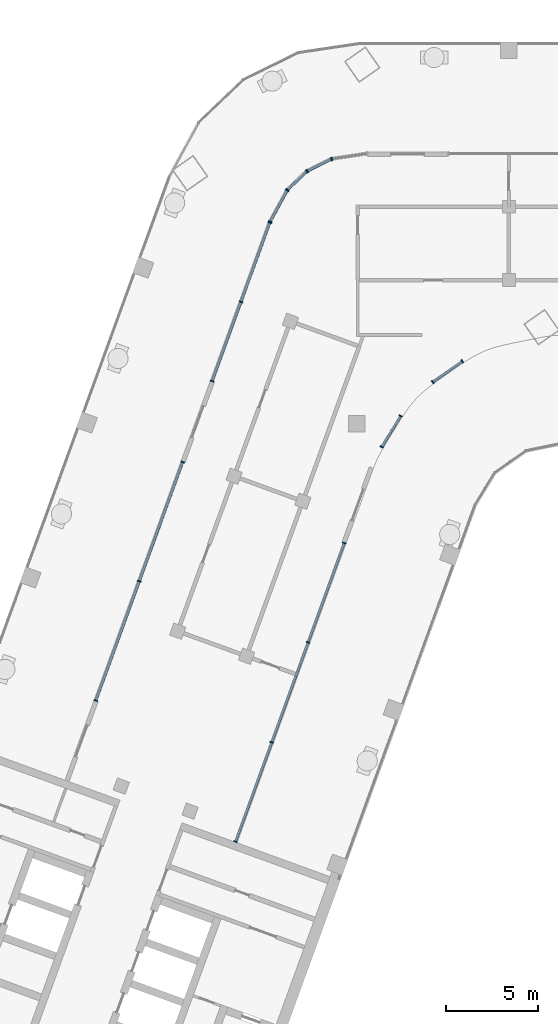
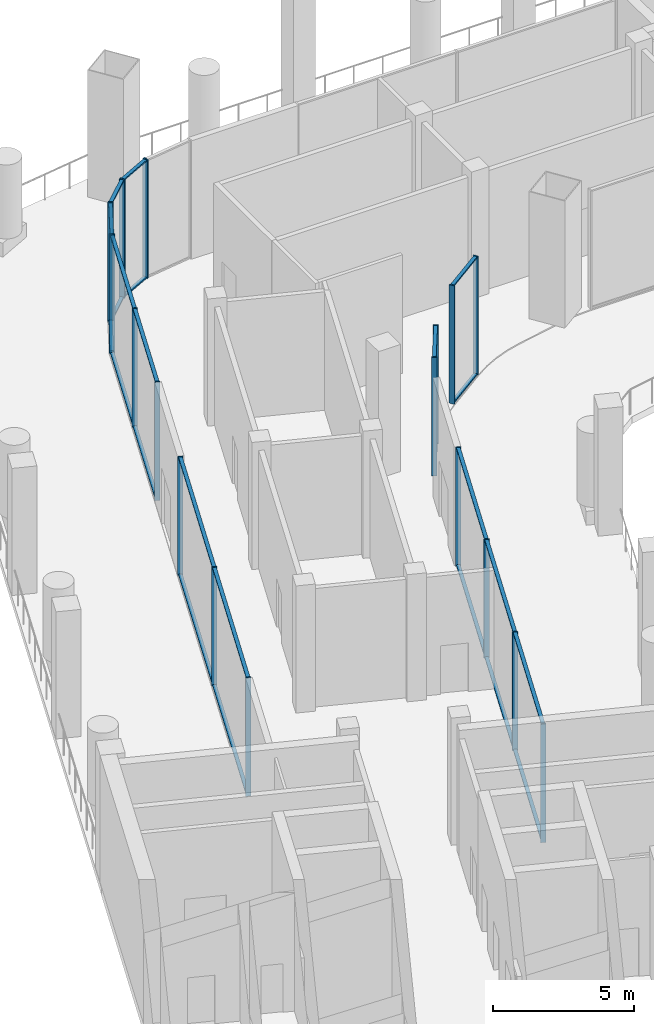
# One storey, part 2 of 19: 45 members, 9 elements without a shape of their own.
"""IFC4 building model written with IfcOpenShell, lengths in metres."""

from ifc_helpers import new_model, si_unit, direction, frame, origin, origin_2d, place, context, subcontext, project, spatial, rectangle, extrude, material, material_profile, profile_set, type_object, element, aggregate, save


model = new_model("IFC4")

# Units and contexts
model_context = context("Model", 3, precision=1e-05, world=origin(), true_north=direction((0.0, 1.0)))
body_context = subcontext(model_context, "Body", "Model", "MODEL_VIEW")
ifc_project = project(units=[si_unit("LENGTHUNIT", "METRE"), si_unit("AREAUNIT", "SQUARE_METRE"), si_unit("VOLUMEUNIT", "CUBIC_METRE"), si_unit("PLANEANGLEUNIT", "RADIAN"), si_unit("MASSUNIT", "GRAM", prefix="KILO")], contexts=[model_context])

# Site, building, storey
site_placement = place(None, origin())
site = spatial("IfcSite", under=ifc_project, at=site_placement, CompositionType="ELEMENT")
building_placement = place(site_placement, origin())
building = spatial("IfcBuilding", under=site, at=building_placement, Name="Skarvind Civic Tower", CompositionType="ELEMENT")
storey_placement = place(building_placement, frame((0.0, 0.0, 75.5)))
storey = spatial("IfcBuildingStorey", under=building, at=storey_placement, Name="L17", CompositionType="ELEMENT", Elevation=75.5)

# Curtain wall, members
ifc_material_1 = material(Name="Aluminium alloy 6063 and laminated glass", Category="aluminium")
curtain_wall_type = type_object("IfcCurtainWallType", Name="CW3 SEPARATOR INNER GLAZING", PredefinedType="NOTDEFINED", material=ifc_material_1)
curtain_wall_1_placement = place(storey_placement, origin())
curtain_wall_1 = element("IfcCurtainWall", 1, at=curtain_wall_1_placement, inside=storey, type_object=curtain_wall_type, Name="SEPARATOR INNER GLAZING", PredefinedType="NOTDEFINED")
ifc_material_2 = material(Name="Aluminium alloy 6063", Category="aluminium")
ifc_material_profile_1 = material_profile(ifc_material_2, rectangle(XDim=0.199951171875, YDim=0.06005859375, at=origin_2d()), Name="AL 60x200")
ifc_profile_set_1 = profile_set([ifc_material_profile_1], Name="Aluminium alloy 6063")
member_type_1 = type_object("IfcMemberType", Name="CW3 MULLION 60x200", PredefinedType="MULLION", material=ifc_profile_set_1)
member_1_placement = place(storey_placement, frame((45.2626953125, 111.64794921875, 0.0), z_axis=(0.0, 0.0, 1.0), x_axis=(0.939693443578, -0.342017882714, 0.0)))
member_1 = element("IfcMember", 2, at=member_1_placement, type_object=member_type_1, Name="CW3 mullion 1", PredefinedType="MULLION", context=body_context, shape_type="SweptSolid", body=[
    extrude(rectangle(XDim=0.199951171875, YDim=0.06005859375, at=origin_2d()), origin(), (0.0, 0.0, 1.0), 5.125),
])
member_2_placement = place(storey_placement, frame((43.287841796875, 106.22216796875, 0.0), z_axis=(0.0, 0.0, 1.0), x_axis=(0.939693443578, -0.342017882714, 0.0)))
member_2 = element("IfcMember", 3, at=member_2_placement, type_object=member_type_1, Name="CW3 mullion 2", PredefinedType="MULLION", context=body_context, shape_type="SweptSolid", body=[
    extrude(rectangle(XDim=0.199951171875, YDim=0.06005859375, at=origin_2d()), origin(), (0.0, 0.0, 1.0), 5.125),
])
member_3_placement = place(storey_placement, frame((41.302978515625, 100.76806640625, 0.0), z_axis=(0.0, 0.0, 1.0), x_axis=(0.939693443578, -0.342017882714, 0.0)))
member_3 = element("IfcMember", 4, at=member_3_placement, type_object=member_type_1, Name="CW3 mullion 3", PredefinedType="MULLION", context=body_context, shape_type="SweptSolid", body=[
    extrude(rectangle(XDim=0.199951171875, YDim=0.06005859375, at=origin_2d()), origin(), (0.0, 0.0, 1.0), 5.125),
])
member_4_placement = place(storey_placement, frame((39.328125, 95.34228515625, 0.0), z_axis=(0.0, 0.0, 1.0), x_axis=(0.939693443578, -0.342017882714, 0.0)))
member_4 = element("IfcMember", 5, at=member_4_placement, type_object=member_type_1, Name="CW3 mullion 4", PredefinedType="MULLION", context=body_context, shape_type="SweptSolid", body=[
    extrude(rectangle(XDim=0.199951171875, YDim=0.06005859375, at=origin_2d()), origin(), (0.0, 0.0, 1.0), 5.125),
])

curtain_wall_2_placement = place(storey_placement, origin())
curtain_wall_2 = element("IfcCurtainWall", 6, at=curtain_wall_2_placement, inside=storey, type_object=curtain_wall_type, Name="SEPARATOR INNER GLAZING", PredefinedType="NOTDEFINED")
member_5_placement = place(storey_placement, frame((48.34375, 118.582763671875, 0.0), z_axis=(0.0, 0.0, 1.0), x_axis=(0.852690615508, -0.522416226992, 0.0)))
member_5 = element("IfcMember", 7, at=member_5_placement, type_object=member_type_1, Name="CW3 mullion 1", PredefinedType="MULLION", context=body_context, shape_type="SweptSolid", body=[
    extrude(rectangle(XDim=0.199951171875, YDim=0.06005859375, at=origin_2d()), origin(), (0.0, 0.0, 1.0), 5.125),
])
member_6_placement = place(storey_placement, frame((47.30810546875, 116.892578125, 0.0), z_axis=(0.0, 0.0, 1.0), x_axis=(0.852690615508, -0.522416226992, 0.0)))
member_6 = element("IfcMember", 8, at=member_6_placement, type_object=member_type_1, Name="CW3 mullion 2", PredefinedType="MULLION", context=body_context, shape_type="SweptSolid", body=[
    extrude(rectangle(XDim=0.199951171875, YDim=0.06005859375, at=origin_2d()), origin(), (0.0, 0.0, 1.0), 5.125),
])

curtain_wall_3_placement = place(storey_placement, origin())
curtain_wall_3 = element("IfcCurtainWall", 9, at=curtain_wall_3_placement, inside=storey, type_object=curtain_wall_type, Name="SEPARATOR INNER GLAZING", PredefinedType="NOTDEFINED")
member_7_placement = place(storey_placement, frame((51.71044921875, 121.57275390625, 0.0), z_axis=(0.0, 0.0, 1.0), x_axis=(0.573583930662, -0.819146796665, 0.0)))
member_7 = element("IfcMember", 10, at=member_7_placement, type_object=member_type_1, Name="CW3 mullion 1", PredefinedType="MULLION", context=body_context, shape_type="SweptSolid", body=[
    extrude(rectangle(XDim=0.199951171875, YDim=0.06005859375, at=origin_2d()), origin(), (0.0, 0.0, 1.0), 5.125),
])
member_8_placement = place(storey_placement, frame((50.086669921875, 120.435791015625, 0.0), z_axis=(0.0, 0.0, 1.0), x_axis=(0.573583930662, -0.819146796665, 0.0)))
member_8 = element("IfcMember", 11, at=member_8_placement, type_object=member_type_1, Name="CW3 mullion 2", PredefinedType="MULLION", context=body_context, shape_type="SweptSolid", body=[
    extrude(rectangle(XDim=0.199951171875, YDim=0.06005859375, at=origin_2d()), origin(), (0.0, 0.0, 1.0), 5.125),
])

# Curtain wall, member
curtain_wall_4_placement = place(storey_placement, origin())
curtain_wall_4 = element("IfcCurtainWall", 12, at=curtain_wall_4_placement, inside=storey, type_object=curtain_wall_type, Name="SEPARATOR INNER GLAZING", PredefinedType="NOTDEFINED")
member_9_placement = place(storey_placement, frame((44.59033203125, 132.609130859375, 0.0), z_axis=(0.0, 0.0, 1.0), x_axis=(-0.147088185109, 0.989123382496, 0.0)))
member_9 = element("IfcMember", 13, at=member_9_placement, type_object=member_type_1, Name="CW3 mullion 1", PredefinedType="MULLION", context=body_context, shape_type="SweptSolid", body=[
    extrude(rectangle(XDim=0.199951171875, YDim=0.06005859375, at=origin_2d()), origin(), (0.0, 0.0, 1.0), 5.125),
])
aggregate(curtain_wall_4, [member_9])

# Curtain wall, members
curtain_wall_5_placement = place(storey_placement, origin())
curtain_wall_5 = element("IfcCurtainWall", 14, at=curtain_wall_5_placement, inside=storey, type_object=curtain_wall_type, Name="SEPARATOR INNER GLAZING", PredefinedType="NOTDEFINED")
member_10_placement = place(storey_placement, frame((43.248291015625, 131.954833984375, 0.0), z_axis=(0.0, 0.0, 1.0), x_axis=(-0.440749091032, 0.897630346387, 0.0)))
member_10 = element("IfcMember", 15, at=member_10_placement, type_object=member_type_1, Name="CW3 mullion 1", PredefinedType="MULLION", context=body_context, shape_type="SweptSolid", body=[
    extrude(rectangle(XDim=0.199951171875, YDim=0.06005859375, at=origin_2d()), origin(), (0.0, 0.0, 1.0), 5.125),
])
member_11_placement = place(storey_placement, frame((44.563232421875, 132.6005859375, 0.0), z_axis=(0.0, 0.0, 1.0), x_axis=(-0.440749091032, 0.897630346387, 0.0)))
member_11 = element("IfcMember", 16, at=member_11_placement, type_object=member_type_1, Name="CW3 mullion 2", PredefinedType="MULLION", context=body_context, shape_type="SweptSolid", body=[
    extrude(rectangle(XDim=0.199951171875, YDim=0.06005859375, at=origin_2d()), origin(), (0.0, 0.0, 1.0), 5.125),
])

curtain_wall_6_placement = place(storey_placement, origin())
curtain_wall_6 = element("IfcCurtainWall", 17, at=curtain_wall_6_placement, inside=storey, type_object=curtain_wall_type, Name="SEPARATOR INNER GLAZING", PredefinedType="NOTDEFINED")
member_12_placement = place(storey_placement, frame((42.16845703125, 130.923828125, 0.0), z_axis=(0.0, 0.0, 1.0), x_axis=(-0.692732476085, 0.721194645416, 0.0)))
member_12 = element("IfcMember", 18, at=member_12_placement, type_object=member_type_1, Name="CW3 mullion 1", PredefinedType="MULLION", context=body_context, shape_type="SweptSolid", body=[
    extrude(rectangle(XDim=0.199951171875, YDim=0.06005859375, at=origin_2d()), origin(), (0.0, 0.0, 1.0), 5.125),
])
member_13_placement = place(storey_placement, frame((43.224853515625, 131.9384765625, 0.0), z_axis=(0.0, 0.0, 1.0), x_axis=(-0.692732476085, 0.721194645416, 0.0)))
member_13 = element("IfcMember", 19, at=member_13_placement, type_object=member_type_1, Name="CW3 mullion 2", PredefinedType="MULLION", context=body_context, shape_type="SweptSolid", body=[
    extrude(rectangle(XDim=0.199951171875, YDim=0.06005859375, at=origin_2d()), origin(), (0.0, 0.0, 1.0), 5.125),
])

curtain_wall_7_placement = place(storey_placement, origin())
curtain_wall_7 = element("IfcCurtainWall", 20, at=curtain_wall_7_placement, inside=storey, type_object=curtain_wall_type, Name="SEPARATOR INNER GLAZING", PredefinedType="NOTDEFINED")
member_14_placement = place(storey_placement, frame((41.21923828125, 129.18212890625, 0.0), z_axis=(0.0, 0.0, 1.0), x_axis=(-0.879149914421, 0.476545305268, 0.0)))
member_14 = element("IfcMember", 21, at=member_14_placement, type_object=member_type_1, Name="CW3 mullion 1", PredefinedType="MULLION", context=body_context, shape_type="SweptSolid", body=[
    extrude(rectangle(XDim=0.199951171875, YDim=0.06005859375, at=origin_2d()), origin(), (0.0, 0.0, 1.0), 5.125),
])
member_15_placement = place(storey_placement, frame((42.151123046875, 130.901123046875, 0.0), z_axis=(0.0, 0.0, 1.0), x_axis=(-0.879149914421, 0.476545305268, 0.0)))
member_15 = element("IfcMember", 22, at=member_15_placement, type_object=member_type_1, Name="CW3 mullion 2", PredefinedType="MULLION", context=body_context, shape_type="SweptSolid", body=[
    extrude(rectangle(XDim=0.199951171875, YDim=0.06005859375, at=origin_2d()), origin(), (0.0, 0.0, 1.0), 5.125),
])

curtain_wall_8_placement = place(storey_placement, origin())
curtain_wall_8 = element("IfcCurtainWall", 23, at=curtain_wall_8_placement, inside=storey, type_object=curtain_wall_type, Name="SEPARATOR INNER GLAZING", PredefinedType="NOTDEFINED")
member_16_placement = place(storey_placement, frame((31.705078125, 103.052001953125, 0.0), z_axis=(0.0, 0.0, 1.0), x_axis=(-0.939692012762, 0.342021813854, 0.0)))
member_16 = element("IfcMember", 24, at=member_16_placement, type_object=member_type_1, Name="CW3 mullion 1", PredefinedType="MULLION", context=body_context, shape_type="SweptSolid", body=[
    extrude(rectangle(XDim=0.199951171875, YDim=0.06005859375, at=origin_2d()), origin(), (0.0, 0.0, 1.0), 5.125),
])
member_17_placement = place(storey_placement, frame((34.073974609375, 109.56005859375, 0.0), z_axis=(0.0, 0.0, 1.0), x_axis=(-0.939692012762, 0.342021813854, 0.0)))
member_17 = element("IfcMember", 25, at=member_17_placement, type_object=member_type_1, Name="CW3 mullion 2", PredefinedType="MULLION", context=body_context, shape_type="SweptSolid", body=[
    extrude(rectangle(XDim=0.199951171875, YDim=0.06005859375, at=origin_2d()), origin(), (0.0, 0.0, 1.0), 5.125),
])
member_18_placement = place(storey_placement, frame((36.442626953125, 116.068115234375, 0.0), z_axis=(0.0, 0.0, 1.0), x_axis=(-0.939692012762, 0.342021813854, 0.0)))
member_18 = element("IfcMember", 26, at=member_18_placement, type_object=member_type_1, Name="CW3 mullion 3", PredefinedType="MULLION", context=body_context, shape_type="SweptSolid", body=[
    extrude(rectangle(XDim=0.199951171875, YDim=0.06005859375, at=origin_2d()), origin(), (0.0, 0.0, 1.0), 5.125),
])

curtain_wall_9_placement = place(storey_placement, origin())
curtain_wall_9 = element("IfcCurtainWall", 27, at=curtain_wall_9_placement, inside=storey, type_object=curtain_wall_type, Name="SEPARATOR INNER GLAZING", PredefinedType="NOTDEFINED")
member_19_placement = place(storey_placement, frame((38.04931640625, 120.482177734375, 0.0), z_axis=(0.0, 0.0, 1.0), x_axis=(-0.939690437186, 0.342026142657, 0.0)))
member_19 = element("IfcMember", 28, at=member_19_placement, type_object=member_type_1, Name="CW3 mullion 1", PredefinedType="MULLION", context=body_context, shape_type="SweptSolid", body=[
    extrude(rectangle(XDim=0.199951171875, YDim=0.06005859375, at=origin_2d()), origin(), (0.0, 0.0, 1.0), 5.125),
])
member_20_placement = place(storey_placement, frame((39.625, 124.811767578125, 0.0), z_axis=(0.0, 0.0, 1.0), x_axis=(-0.939690437186, 0.342026142657, 0.0)))
member_20 = element("IfcMember", 29, at=member_20_placement, type_object=member_type_1, Name="CW3 mullion 2", PredefinedType="MULLION", context=body_context, shape_type="SweptSolid", body=[
    extrude(rectangle(XDim=0.199951171875, YDim=0.06005859375, at=origin_2d()), origin(), (0.0, 0.0, 1.0), 5.125),
])
member_21_placement = place(storey_placement, frame((41.200927734375, 129.14111328125, 0.0), z_axis=(0.0, 0.0, 1.0), x_axis=(-0.939690437186, 0.342026142657, 0.0)))
member_21 = element("IfcMember", 30, at=member_21_placement, type_object=member_type_1, Name="CW3 mullion 3", PredefinedType="MULLION", context=body_context, shape_type="SweptSolid", body=[
    extrude(rectangle(XDim=0.199951171875, YDim=0.06005859375, at=origin_2d()), origin(), (0.0, 0.0, 1.0), 5.125),
])

# Member
ifc_material_profile_2 = material_profile(ifc_material_2, rectangle(XDim=0.139892578125, YDim=0.06005859375, at=origin_2d()), Name="AL 60x140")
ifc_profile_set_2 = profile_set([ifc_material_profile_2], Name="Aluminium alloy 6063")
member_type_2 = type_object("IfcMemberType", Name="CW3 TRANSOM 60x140", PredefinedType="USERDEFINED", material=ifc_profile_set_2)
member_22_placement = place(storey_placement, frame((45.25244140625, 111.61962890625, 0.030029296875), z_axis=(-0.342027788572, -0.939689838109, 0.0), x_axis=(0.939689838109, -0.342027788572, 0.0)))
member_22 = element("IfcMember", 31, at=member_22_placement, type_object=member_type_2, Name="CW3 transom 1.1", ObjectType="TRANSOM", PredefinedType="USERDEFINED", context=body_context, shape_type="SweptSolid", body=[
    extrude(rectangle(XDim=0.139892578125, YDim=0.06005859375, at=origin_2d()), origin(), (0.0, 0.0, 1.0), 5.714111328125),
])

member_23_placement = place(storey_placement, frame((45.25244140625, 111.61962890625, 5.094970703125), z_axis=(-0.342027788572, -0.939689838109, 0.0), x_axis=(0.939689838109, -0.342027788572, 0.0)))
member_23 = element("IfcMember", 32, at=member_23_placement, type_object=member_type_2, Name="CW3 transom 1.2", ObjectType="TRANSOM", PredefinedType="USERDEFINED", context=body_context, shape_type="SweptSolid", body=[
    extrude(rectangle(XDim=0.139892578125, YDim=0.06005859375, at=origin_2d()), origin(), (0.0, 0.0, 1.0), 5.714111328125),
])

member_24_placement = place(storey_placement, frame((43.277587890625, 106.19384765625, 0.030029296875), z_axis=(-0.341995598976, -0.939701553836, 0.0), x_axis=(0.939701553836, -0.341995598976, 0.0)))
member_24 = element("IfcMember", 33, at=member_24_placement, type_object=member_type_2, Name="CW3 transom 2.1", ObjectType="TRANSOM", PredefinedType="USERDEFINED", context=body_context, shape_type="SweptSolid", body=[
    extrude(rectangle(XDim=0.139892578125, YDim=0.06005859375, at=origin_2d()), origin(), (0.0, 0.0, 1.0), 5.743896484375),
])

member_25_placement = place(storey_placement, frame((43.277587890625, 106.19384765625, 5.094970703125), z_axis=(-0.341995598976, -0.939701553836, 0.0), x_axis=(0.939701553836, -0.341995598976, 0.0)))
member_25 = element("IfcMember", 34, at=member_25_placement, type_object=member_type_2, Name="CW3 transom 2.2", ObjectType="TRANSOM", PredefinedType="USERDEFINED", context=body_context, shape_type="SweptSolid", body=[
    extrude(rectangle(XDim=0.139892578125, YDim=0.06005859375, at=origin_2d()), origin(), (0.0, 0.0, 1.0), 5.743896484375),
])

member_26_placement = place(storey_placement, frame((41.292724609375, 100.739990234375, 0.030029296875), z_axis=(-0.342027788572, -0.939689838109, 0.0), x_axis=(0.939689838109, -0.342027788572, 0.0)))
member_26 = element("IfcMember", 35, at=member_26_placement, type_object=member_type_2, Name="CW3 transom 3.1", ObjectType="TRANSOM", PredefinedType="USERDEFINED", context=body_context, shape_type="SweptSolid", body=[
    extrude(rectangle(XDim=0.139892578125, YDim=0.06005859375, at=origin_2d()), origin(), (0.0, 0.0, 1.0), 5.714111328125),
])

member_27_placement = place(storey_placement, frame((41.292724609375, 100.739990234375, 5.094970703125), z_axis=(-0.342027788572, -0.939689838109, 0.0), x_axis=(0.939689838109, -0.342027788572, 0.0)))
member_27 = element("IfcMember", 36, at=member_27_placement, type_object=member_type_2, Name="CW3 transom 3.2", ObjectType="TRANSOM", PredefinedType="USERDEFINED", context=body_context, shape_type="SweptSolid", body=[
    extrude(rectangle(XDim=0.139892578125, YDim=0.06005859375, at=origin_2d()), origin(), (0.0, 0.0, 1.0), 5.714111328125),
])

aggregate(curtain_wall_1, [member_1, member_2, member_3, member_4, member_22, member_23, member_24, member_25, member_26, member_27])

member_28_placement = place(storey_placement, frame((48.328125, 118.55712890625, 0.030029296875), z_axis=(-0.522466758682, -0.852659654301, 0.0), x_axis=(0.852659654301, -0.522466758682, 0.0)))
member_28 = element("IfcMember", 37, at=member_28_placement, type_object=member_type_2, Name="CW3 transom 1.1", ObjectType="TRANSOM", PredefinedType="USERDEFINED", context=body_context, shape_type="SweptSolid", body=[
    extrude(rectangle(XDim=0.139892578125, YDim=0.06005859375, at=origin_2d()), origin(), (0.0, 0.0, 1.0), 1.92236328125),
])

member_29_placement = place(storey_placement, frame((48.328125, 118.55712890625, 5.094970703125), z_axis=(-0.522466758682, -0.852659654301, 0.0), x_axis=(0.852659654301, -0.522466758682, 0.0)))
member_29 = element("IfcMember", 38, at=member_29_placement, type_object=member_type_2, Name="CW3 transom 1.2", ObjectType="TRANSOM", PredefinedType="USERDEFINED", context=body_context, shape_type="SweptSolid", body=[
    extrude(rectangle(XDim=0.139892578125, YDim=0.06005859375, at=origin_2d()), origin(), (0.0, 0.0, 1.0), 1.92236328125),
])

aggregate(curtain_wall_2, [member_5, member_6, member_28, member_29])

member_30_placement = place(storey_placement, frame((51.685791015625, 121.555419921875, 0.030029296875), z_axis=(-0.819130464862, -0.573607253732, 0.0), x_axis=(0.573607253732, -0.819130464862, 0.0)))
member_30 = element("IfcMember", 39, at=member_30_placement, type_object=member_type_2, Name="CW3 transom 1.1", ObjectType="TRANSOM", PredefinedType="USERDEFINED", context=body_context, shape_type="SweptSolid", body=[
    extrude(rectangle(XDim=0.139892578125, YDim=0.06005859375, at=origin_2d()), origin(), (0.0, 0.0, 1.0), 1.922119140625),
])

member_31_placement = place(storey_placement, frame((51.685791015625, 121.555419921875, 5.094970703125), z_axis=(-0.819130464862, -0.573607253732, 0.0), x_axis=(0.573607253732, -0.819130464862, 0.0)))
member_31 = element("IfcMember", 40, at=member_31_placement, type_object=member_type_2, Name="CW3 transom 1.2", ObjectType="TRANSOM", PredefinedType="USERDEFINED", context=body_context, shape_type="SweptSolid", body=[
    extrude(rectangle(XDim=0.139892578125, YDim=0.06005859375, at=origin_2d()), origin(), (0.0, 0.0, 1.0), 1.922119140625),
])

aggregate(curtain_wall_3, [member_7, member_8, member_30, member_31])

member_32_placement = place(storey_placement, frame((43.275146484375, 131.96826171875, 0.030029296875), z_axis=(0.897636359054, 0.440736845413, 0.0), x_axis=(-0.440736845413, 0.897636359054, 0.0)))
member_32 = element("IfcMember", 41, at=member_32_placement, type_object=member_type_2, Name="CW3 transom 1.1", ObjectType="TRANSOM", PredefinedType="USERDEFINED", context=body_context, shape_type="SweptSolid", body=[
    extrude(rectangle(XDim=0.139892578125, YDim=0.06005859375, at=origin_2d()), origin(), (0.0, 0.0, 1.0), 1.40478515625),
])

member_33_placement = place(storey_placement, frame((43.275146484375, 131.96826171875, 5.094970703125), z_axis=(0.897636359054, 0.440736845413, 0.0), x_axis=(-0.440736845413, 0.897636359054, 0.0)))
member_33 = element("IfcMember", 42, at=member_33_placement, type_object=member_type_2, Name="CW3 transom 1.2", ObjectType="TRANSOM", PredefinedType="USERDEFINED", context=body_context, shape_type="SweptSolid", body=[
    extrude(rectangle(XDim=0.139892578125, YDim=0.06005859375, at=origin_2d()), origin(), (0.0, 0.0, 1.0), 1.40478515625),
])

aggregate(curtain_wall_5, [member_10, member_11, member_32, member_33])

member_34_placement = place(storey_placement, frame((42.18994140625, 130.944580078125, 0.030029296875), z_axis=(0.721213656633, 0.692712683214, 0.0), x_axis=(-0.692712683214, 0.721213656633, 0.0)))
member_34 = element("IfcMember", 43, at=member_34_placement, type_object=member_type_2, Name="CW3 transom 1.1", ObjectType="TRANSOM", PredefinedType="USERDEFINED", context=body_context, shape_type="SweptSolid", body=[
    extrude(rectangle(XDim=0.139892578125, YDim=0.06005859375, at=origin_2d()), origin(), (0.0, 0.0, 1.0), 1.40478515625),
])

member_35_placement = place(storey_placement, frame((42.18994140625, 130.944580078125, 5.094970703125), z_axis=(0.721213656633, 0.692712683214, 0.0), x_axis=(-0.692712683214, 0.721213656633, 0.0)))
member_35 = element("IfcMember", 44, at=member_35_placement, type_object=member_type_2, Name="CW3 transom 1.2", ObjectType="TRANSOM", PredefinedType="USERDEFINED", context=body_context, shape_type="SweptSolid", body=[
    extrude(rectangle(XDim=0.139892578125, YDim=0.06005859375, at=origin_2d()), origin(), (0.0, 0.0, 1.0), 1.40478515625),
])

aggregate(curtain_wall_6, [member_12, member_13, member_34, member_35])

member_36_placement = place(storey_placement, frame((41.233642578125, 129.20849609375, 0.030029296875), z_axis=(0.476494775331, 0.879177302415, 0.0), x_axis=(-0.879177302415, 0.476494775331, 0.0)))
member_36 = element("IfcMember", 45, at=member_36_placement, type_object=member_type_2, Name="CW3 transom 1.1", ObjectType="TRANSOM", PredefinedType="USERDEFINED", context=body_context, shape_type="SweptSolid", body=[
    extrude(rectangle(XDim=0.139892578125, YDim=0.06005859375, at=origin_2d()), origin(), (0.0, 0.0, 1.0), 1.895263671875),
])

member_37_placement = place(storey_placement, frame((41.233642578125, 129.20849609375, 5.094970703125), z_axis=(0.476494775331, 0.879177302415, 0.0), x_axis=(-0.879177302415, 0.476494775331, 0.0)))
member_37 = element("IfcMember", 46, at=member_37_placement, type_object=member_type_2, Name="CW3 transom 1.2", ObjectType="TRANSOM", PredefinedType="USERDEFINED", context=body_context, shape_type="SweptSolid", body=[
    extrude(rectangle(XDim=0.139892578125, YDim=0.06005859375, at=origin_2d()), origin(), (0.0, 0.0, 1.0), 1.895263671875),
])

aggregate(curtain_wall_7, [member_14, member_15, member_36, member_37])

member_38_placement = place(storey_placement, frame((31.71533203125, 103.080078125, 0.030029296875), z_axis=(0.34204283214, 0.939684362422, 0.0), x_axis=(-0.939684362422, 0.34204283214, 0.0)))
member_38 = element("IfcMember", 47, at=member_38_placement, type_object=member_type_2, Name="CW3 transom 1.1", ObjectType="TRANSOM", PredefinedType="USERDEFINED", context=body_context, shape_type="SweptSolid", body=[
    extrude(rectangle(XDim=0.139892578125, YDim=0.06005859375, at=origin_2d()), origin(), (0.0, 0.0, 1.0), 6.86572265625),
])

member_39_placement = place(storey_placement, frame((31.71533203125, 103.080078125, 5.094970703125), z_axis=(0.34204283214, 0.939684362422, 0.0), x_axis=(-0.939684362422, 0.34204283214, 0.0)))
member_39 = element("IfcMember", 48, at=member_39_placement, type_object=member_type_2, Name="CW3 transom 1.2", ObjectType="TRANSOM", PredefinedType="USERDEFINED", context=body_context, shape_type="SweptSolid", body=[
    extrude(rectangle(XDim=0.139892578125, YDim=0.06005859375, at=origin_2d()), origin(), (0.0, 0.0, 1.0), 6.86572265625),
])

member_40_placement = place(storey_placement, frame((34.084228515625, 109.588134765625, 0.030029296875), z_axis=(0.342000004658, 0.939699950417, 0.0), x_axis=(-0.939699950417, 0.342000004658, 0.0)))
member_40 = element("IfcMember", 49, at=member_40_placement, type_object=member_type_2, Name="CW3 transom 2.1", ObjectType="TRANSOM", PredefinedType="USERDEFINED", context=body_context, shape_type="SweptSolid", body=[
    extrude(rectangle(XDim=0.139892578125, YDim=0.06005859375, at=origin_2d()), origin(), (0.0, 0.0, 1.0), 6.865966796875),
])

member_41_placement = place(storey_placement, frame((34.084228515625, 109.588134765625, 5.094970703125), z_axis=(0.342000004658, 0.939699950417, 0.0), x_axis=(-0.939699950417, 0.342000004658, 0.0)))
member_41 = element("IfcMember", 50, at=member_41_placement, type_object=member_type_2, Name="CW3 transom 2.2", ObjectType="TRANSOM", PredefinedType="USERDEFINED", context=body_context, shape_type="SweptSolid", body=[
    extrude(rectangle(XDim=0.139892578125, YDim=0.06005859375, at=origin_2d()), origin(), (0.0, 0.0, 1.0), 6.865966796875),
])

aggregate(curtain_wall_8, [member_16, member_17, member_18, member_38, member_39, member_40, member_41])

member_42_placement = place(storey_placement, frame((38.0595703125, 120.510498046875, 0.030029296875), z_axis=(0.342010327501, 0.939696193396, 0.0), x_axis=(-0.939696193396, 0.342010327501, 0.0)))
member_42 = element("IfcMember", 51, at=member_42_placement, type_object=member_type_2, Name="CW3 transom 1.1", ObjectType="TRANSOM", PredefinedType="USERDEFINED", context=body_context, shape_type="SweptSolid", body=[
    extrude(rectangle(XDim=0.139892578125, YDim=0.06005859375, at=origin_2d()), origin(), (0.0, 0.0, 1.0), 4.547119140625),
])

member_43_placement = place(storey_placement, frame((38.0595703125, 120.510498046875, 5.094970703125), z_axis=(0.342010327501, 0.939696193396, 0.0), x_axis=(-0.939696193396, 0.342010327501, 0.0)))
member_43 = element("IfcMember", 52, at=member_43_placement, type_object=member_type_2, Name="CW3 transom 1.2", ObjectType="TRANSOM", PredefinedType="USERDEFINED", context=body_context, shape_type="SweptSolid", body=[
    extrude(rectangle(XDim=0.139892578125, YDim=0.06005859375, at=origin_2d()), origin(), (0.0, 0.0, 1.0), 4.547119140625),
])

member_44_placement = place(storey_placement, frame((39.63525390625, 124.83984375, 0.030029296875), z_axis=(0.342057736716, 0.939678937059, 0.0), x_axis=(-0.939678937059, 0.342057736716, 0.0)))
member_44 = element("IfcMember", 53, at=member_44_placement, type_object=member_type_2, Name="CW3 transom 2.1", ObjectType="TRANSOM", PredefinedType="USERDEFINED", context=body_context, shape_type="SweptSolid", body=[
    extrude(rectangle(XDim=0.139892578125, YDim=0.06005859375, at=origin_2d()), origin(), (0.0, 0.0, 1.0), 4.54736328125),
])

member_45_placement = place(storey_placement, frame((39.63525390625, 124.83984375, 5.094970703125), z_axis=(0.342057736716, 0.939678937059, 0.0), x_axis=(-0.939678937059, 0.342057736716, 0.0)))
member_45 = element("IfcMember", 54, at=member_45_placement, type_object=member_type_2, Name="CW3 transom 2.2", ObjectType="TRANSOM", PredefinedType="USERDEFINED", context=body_context, shape_type="SweptSolid", body=[
    extrude(rectangle(XDim=0.139892578125, YDim=0.06005859375, at=origin_2d()), origin(), (0.0, 0.0, 1.0), 4.54736328125),
])

aggregate(curtain_wall_9, [member_19, member_20, member_21, member_42, member_43, member_44, member_45])

save(model, "model.ifc")
